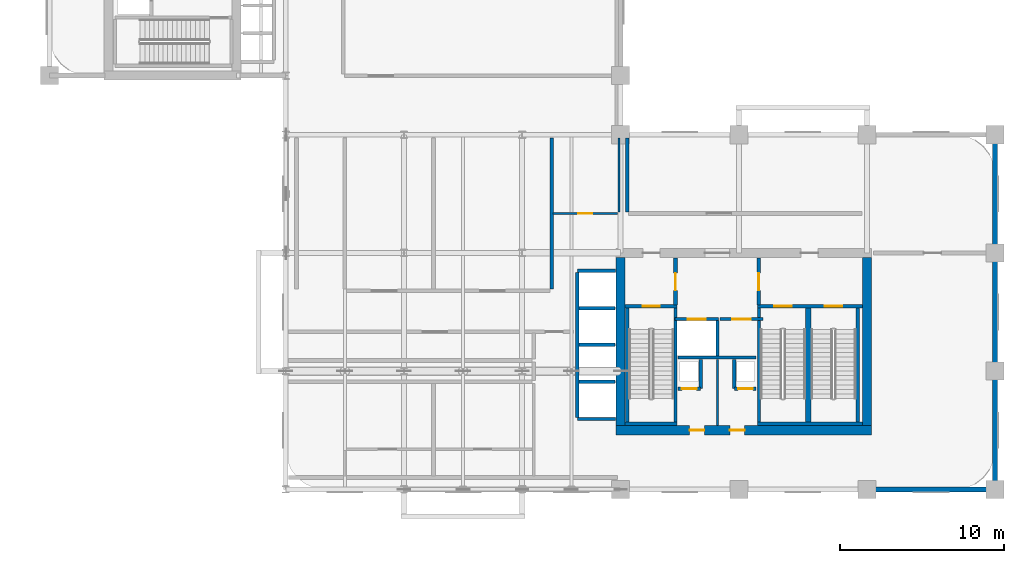
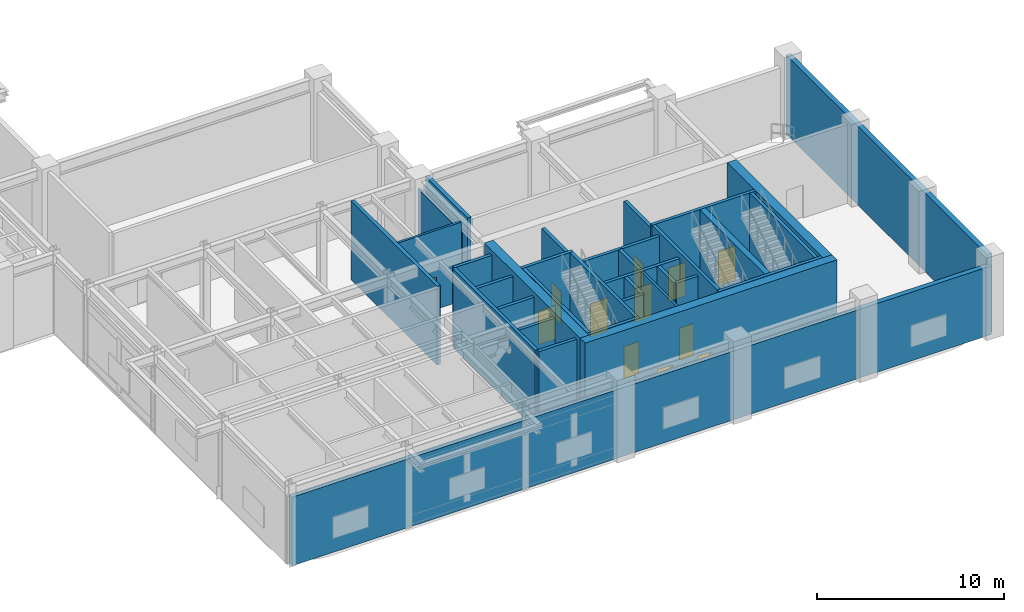
# One storey, part 7 of 12: 35 walls, 12 doors, 12 openings.
"""IFC4 building model written with IfcOpenShell, lengths in metres."""

from ifc_helpers import new_model, si_unit, derived_unit, direction, frame, frame_2d, origin, place, context, subcontext, project, spatial, rectangle, extrude, source, transform, mapped, material, layer, layer_set, type_object, type_shapes, element, fill, save


model = new_model("IFC4")

# Units and contexts
model_context = context("Model", 3, precision=1e-05, world=origin(), true_north=direction((0.0, 1.0)))
body_context = subcontext(model_context, "Body", "Model", "MODEL_VIEW")
ifc_project = project(units=[si_unit("LENGTHUNIT", "METRE"), si_unit("AREAUNIT", "SQUARE_METRE"), si_unit("VOLUMEUNIT", "CUBIC_METRE"), si_unit("PLANEANGLEUNIT", "RADIAN"), si_unit("MASSUNIT", "GRAM", prefix="KILO"), si_unit("THERMODYNAMICTEMPERATUREUNIT", "KELVIN"), si_unit("POWERUNIT", "WATT"), derived_unit("THERMALTRANSMITTANCEUNIT", [(si_unit("POWERUNIT", "WATT"), 1), (si_unit("AREAUNIT", "SQUARE_METRE"), -1), (si_unit("THERMODYNAMICTEMPERATUREUNIT", "KELVIN"), -1)])], contexts=[model_context])

# Site, building, storey
site_placement = place(None, origin())
site = spatial("IfcSite", under=ifc_project, at=site_placement, CompositionType="ELEMENT")
building_placement = place(site_placement, origin())
building = spatial("IfcBuilding", under=site, at=building_placement, Name="Zahravan Archway Hotel and Residences", CompositionType="ELEMENT")
storey_placement = place(building_placement, frame((0.0, 0.0, 106.39990234375)))
storey = spatial("IfcBuildingStorey", under=building, at=storey_placement, Name="L26", CompositionType="ELEMENT", Elevation=106.39990234375)

# Wall, openings, doors
ifc_material_1 = material(Name="Concrete C70/85", Category="concrete")
ifc_layer_1 = layer(ifc_material_1, 0.550048828125, Name="Concrete C70/85", Category="concrete")
ifc_layer_set_1 = layer_set([ifc_layer_1], Name="Concrete C70/85")
wall_type_1 = type_object("IfcWallType", Name="CW-CORE-550", PredefinedType="SHEAR", material=ifc_layer_set_1)
wall_1_placement = place(storey_placement, frame((34.52490234375, 3.60009765625, 0.0), z_axis=(0.0, 0.0, 1.0), x_axis=(1.0, 0.0, 0.0)))
wall_1 = element("IfcWall", 1, at=wall_1_placement, inside=storey, type_object=wall_type_1, Name="L26 Core A Shear S Wall 550 mm", PredefinedType="SHEAR", context=body_context, shape_type="SweptSolid", body=[
    extrude(rectangle(XDim=15.550048828125, YDim=0.550048828125, at=frame_2d((7.77490234375, 0.0))), origin(), (0.0, 0.0, 1.0), 5.400146484375),
])
opening_1_placement = place(wall_1_placement, frame((4.47509765625, 0.0, 0.0)))
opening_1 = element("IfcOpeningElement", 2, at=opening_1_placement, cuts=wall_1, Name="Opening FD-R1", PredefinedType="OPENING", context=body_context, shape_type="SweptSolid", body=[
    extrude(rectangle(XDim=0.89990234375, YDim=2.10009765625, at=frame_2d((0.449951171875, 1.050048828125))), frame((0.0, 0.28515625, 0.0), z_axis=(0.0, -1.0, 0.0), x_axis=(1.0, 0.0, 0.0)), (0.0, 0.0, 1.0), 0.570068359375),
])
opening_2_placement = place(wall_1_placement, frame((6.925048828125, 0.0, 0.0)))
opening_2 = element("IfcOpeningElement", 3, at=opening_2_placement, cuts=wall_1, Name="Opening FD-R1", PredefinedType="OPENING", context=body_context, shape_type="SweptSolid", body=[
    extrude(rectangle(XDim=0.89990234375, YDim=2.10009765625, at=frame_2d((0.449951171875, 1.050048828125))), frame((0.0, 0.28515625, 0.0), z_axis=(0.0, -1.0, 0.0), x_axis=(1.0, 0.0, 0.0)), (0.0, 0.0, 1.0), 0.570068359375),
])
ifc_material_2 = material(Name="Fire-Rated Painted Steel", Category="steel")
door_type_1 = type_object("IfcDoorType", Name="FD-RISER-900", OperationType="NOTDEFINED", PredefinedType="DOOR", material=ifc_material_2)
shared_shape_1 = source(origin(), body_context, "Body", "SweptSolid", [
    extrude(rectangle(XDim=0.89990234375, YDim=2.10009765625, at=frame_2d((0.449951171875, 1.050048828125))), frame((0.0, 0.02490234375, 0.0), z_axis=(0.0, -1.0, 0.0), x_axis=(1.0, 0.0, 0.0)), (0.0, 0.0, 1.0), 0.050048828125),
])
type_shapes(door_type_1, [shared_shape_1])
door_1_placement = place(opening_1_placement, origin())
door_1 = element("IfcDoor", 4, at=door_1_placement, inside=storey, type_object=door_type_1, Name="L26 Electrical Switchgear Door", OperationType="SINGLE_SWING_RIGHT", OverallHeight=2.10009765625, OverallWidth=0.89990234375, PredefinedType="DOOR", context=body_context, shape_type="MappedRepresentation", body=[
    mapped(shared_shape_1, transform((0.0, 0.0, 0.0), scale=1.0)),
])
fill(opening_1, door_1)
door_2_placement = place(opening_2_placement, origin())
door_2 = element("IfcDoor", 5, at=door_2_placement, inside=storey, type_object=door_type_1, Name="L26 Telecom BMS Door", OperationType="SINGLE_SWING_LEFT", OverallHeight=2.10009765625, OverallWidth=0.89990234375, PredefinedType="DOOR", context=body_context, shape_type="MappedRepresentation", body=[
    mapped(shared_shape_1, transform((0.0, 0.0, 0.0), scale=1.0)),
])
fill(opening_2, door_2)

# Walls
for number, where, z_axis, x_axis, name in (
    (6, (34.800048828125, 3.875, 0.0), (0.0, 0.0, 1.0), (0.0, 1.0, 0.0), "L26 Core A Shear W Wall 550 mm"),
    (7, (49.800048828125, 3.875, 0.0), (0.0, 0.0, 1.0), (0.0, 1.0, 0.0), "L26 Core A Shear E Wall 550 mm"),
):
    element("IfcWall", number, at=place(storey_placement, frame(where, z_axis=z_axis, x_axis=x_axis)), inside=storey, type_object=wall_type_1, Name=name, PredefinedType="SHEAR", context=body_context, shape_type="SweptSolid", body=[
        extrude(rectangle(XDim=10.25, YDim=0.550048828125, at=frame_2d((5.125, 0.0))), origin(), (0.0, 0.0, 1.0), 5.400146484375),
    ])
ifc_material_3 = material(Name="Acoustic Louvred Sandstone Backup Wall", Category="masonry")
ifc_layer_2 = layer(ifc_material_3, 0.300048828125, Name="Acoustic Louvred Sandstone Backup Wall", Category="masonry")
ifc_layer_set_2 = layer_set([ifc_layer_2], Name="Acoustic Louvred Sandstone Backup Wall")
wall_type_2 = type_object("IfcWallType", Name="EW-REF-300", PredefinedType="SOLIDWALL", material=ifc_layer_set_2)
wall_2_placement = place(storey_placement, frame((14.39990234375, 0.0, 0.0), z_axis=(0.0, 0.0, 1.0), x_axis=(1.0, 0.0, 0.0)))
element("IfcWall", 8, at=wall_2_placement, inside=storey, type_object=wall_type_2, Name="L26 Exterior Sandstone Wall WA-S", PredefinedType="SOLIDWALL", context=body_context, shape_type="SweptSolid", body=[
    extrude(rectangle(XDim=43.2001953125, YDim=0.300048828125, at=frame_2d((21.60009765625, 0.0))), origin(), (0.0, 0.0, 1.0), 4.485107421875),
])
wall_3_placement = place(storey_placement, frame((57.60009765625, 0.050048828125, 0.0), z_axis=(0.0, 0.0, 1.0), x_axis=(0.0, 1.0, 0.0)))
element("IfcWall", 9, at=wall_3_placement, inside=storey, type_object=wall_type_2, Name="L26 Exterior Sandstone Wall WA-E", PredefinedType="SOLIDWALL", context=body_context, shape_type="SweptSolid", body=[
    extrude(rectangle(XDim=21.5, YDim=0.300048828125, at=frame_2d((10.75, 0.0))), origin(), (0.0, 0.0, 1.0), 5.150146484375),
])

# Wall, opening, door
ifc_material_4 = material(Name="Fire-Rated Gypsum & Concrete Block", Category="concrete")
ifc_layer_3 = layer(ifc_material_4, 0.219970703125, Name="Fire-Rated Gypsum & Concrete Block", Category="concrete")
ifc_layer_set_3 = layer_set([ifc_layer_3], Name="Fire-Rated Gypsum & Concrete Block")
wall_type_3 = type_object("IfcWallType", Name="PW-COMP-220", PredefinedType="PARTITIONING", material=ifc_layer_set_3)
wall_4_placement = place(storey_placement, frame((38.139892578125, 11.219970703125, 0.0), z_axis=(0.0, 0.0, 1.0), x_axis=(0.0, 1.0, 0.0)))
wall_4 = element("IfcWall", 10, at=wall_4_placement, inside=storey, type_object=wall_type_3, Name="L26 Partition CA-LOBW", PredefinedType="PARTITIONING", context=body_context, shape_type="SweptSolid", body=[
    extrude(rectangle(XDim=2.860107421875, YDim=0.219970703125, at=frame_2d((1.43017578125, 0.0))), origin(), (0.0, 0.0, 1.0), 5.150146484375),
])
opening_3_placement = place(wall_4_placement, frame((0.905029296875, 0.0, 0.0)))
opening_3 = element("IfcOpeningElement", 11, at=opening_3_placement, cuts=wall_4, Name="Opening FD-L2", PredefinedType="OPENING", context=body_context, shape_type="SweptSolid", body=[
    extrude(rectangle(XDim=1.050048828125, YDim=2.14990234375, at=frame_2d((0.52490234375, 1.074951171875))), frame((0.0, 0.1201171875, 0.0), z_axis=(0.0, -1.0, 0.0), x_axis=(1.0, 0.0, 0.0)), (0.0, 0.0, 1.0), 0.239990234375),
])
door_type_2 = type_object("IfcDoorType", Name="FD-LOBBY-1100", OperationType="NOTDEFINED", PredefinedType="DOOR", material=ifc_material_2)
shared_shape_2 = source(origin(), body_context, "Body", "SweptSolid", [
    extrude(rectangle(XDim=1.050048828125, YDim=2.14990234375, at=frame_2d((0.52490234375, 1.074951171875))), frame((0.0, 0.02490234375, 0.0), z_axis=(0.0, -1.0, 0.0), x_axis=(1.0, 0.0, 0.0)), (0.0, 0.0, 1.0), 0.050048828125),
])
type_shapes(door_type_2, [shared_shape_2])
door_3_placement = place(opening_3_placement, origin())
door_3 = element("IfcDoor", 12, at=door_3_placement, inside=storey, type_object=door_type_2, Name="L26 Core A West Stair to FSAE Lobby Door", OperationType="SINGLE_SWING_RIGHT", OverallHeight=2.14990234375, OverallWidth=1.050048828125, PredefinedType="DOOR", context=body_context, shape_type="MappedRepresentation", body=[
    mapped(shared_shape_2, transform((0.0, 0.0, 0.0), scale=1.0)),
])
fill(opening_3, door_3)

wall_5_placement = place(storey_placement, frame((43.219970703125, 11.219970703125, 0.0), z_axis=(0.0, 0.0, 1.0), x_axis=(0.0, 1.0, 0.0)))
wall_5 = element("IfcWall", 13, at=wall_5_placement, inside=storey, type_object=wall_type_3, Name="L26 Partition CA-LOBE", PredefinedType="PARTITIONING", context=body_context, shape_type="SweptSolid", body=[
    extrude(rectangle(XDim=2.860107421875, YDim=0.219970703125, at=frame_2d((1.43017578125, 0.0))), origin(), (0.0, 0.0, 1.0), 5.150146484375),
])
opening_4_placement = place(wall_5_placement, frame((0.905029296875, 0.0, 0.0)))
opening_4 = element("IfcOpeningElement", 14, at=opening_4_placement, cuts=wall_5, Name="Opening FD-L2", PredefinedType="OPENING", context=body_context, shape_type="SweptSolid", body=[
    extrude(rectangle(XDim=1.050048828125, YDim=2.14990234375, at=frame_2d((0.52490234375, 1.074951171875))), frame((0.0, 0.1201171875, 0.0), z_axis=(0.0, -1.0, 0.0), x_axis=(1.0, 0.0, 0.0)), (0.0, 0.0, 1.0), 0.239990234375),
])
door_4_placement = place(opening_4_placement, origin())
door_4 = element("IfcDoor", 15, at=door_4_placement, inside=storey, type_object=door_type_2, Name="L26 Core A East Stair to FSAE Lobby Door", OperationType="SINGLE_SWING_LEFT", OverallHeight=2.14990234375, OverallWidth=1.050048828125, PredefinedType="DOOR", context=body_context, shape_type="MappedRepresentation", body=[
    mapped(shared_shape_2, transform((0.0, 0.0, 0.0), scale=1.0)),
])
fill(opening_4, door_4)

# Walls
wall_6_placement = place(storey_placement, frame((30.60009765625, 12.18994140625, 0.0), z_axis=(0.0, 0.0, 1.0), x_axis=(0.0, 1.0, 0.0)))
element("IfcWall", 16, at=wall_6_placement, inside=storey, type_object=wall_type_3, Name="L26 Partition L26-RWE", PredefinedType="PARTITIONING", context=body_context, shape_type="SweptSolid", body=[
    extrude(rectangle(XDim=9.219970703125, YDim=0.219970703125, at=frame_2d((4.60986328125, 0.0))), origin(), (0.0, 0.0, 1.0), 5.150146484375),
])
wall_7_placement = place(storey_placement, frame((35.199951171875, 16.889892578125, 0.0), z_axis=(0.0, 0.0, 1.0), x_axis=(0.0, 1.0, 0.0)))
element("IfcWall", 17, at=wall_7_placement, inside=storey, type_object=wall_type_3, Name="L26 Partition L26-RNEW", PredefinedType="PARTITIONING", context=body_context, shape_type="SweptSolid", body=[
    extrude(rectangle(XDim=4.52001953125, YDim=0.219970703125, at=frame_2d((2.260009765625, 0.0))), origin(), (0.0, 0.0, 1.0), 5.150146484375),
])
ifc_layer_4 = layer(ifc_material_4, 0.199951171875, Name="Fire-Rated Gypsum & Concrete Block", Category="concrete")
ifc_layer_set_4 = layer_set([ifc_layer_4], Name="Fire-Rated Gypsum & Concrete Block")
wall_type_4 = type_object("IfcWallType", Name="PW-SHAFT-200", PredefinedType="PARTITIONING", material=ifc_layer_set_4)
wall_8_placement = place(storey_placement, frame((38.300048828125, 8.030029296875, 0.0), z_axis=(0.0, 0.0, 1.0), x_axis=(1.0, 0.0, 0.0)))
element("IfcWall", 18, at=wall_8_placement, inside=storey, type_object=wall_type_4, Name="L26 Partition CA-FLS", PredefinedType="PARTITIONING", context=body_context, shape_type="SweptSolid", body=[
    extrude(rectangle(XDim=4.739990234375, YDim=0.199951171875, at=frame_2d((2.3701171875, 0.0))), origin(), (0.0, 0.0, 1.0), 5.150146484375),
])
wall_9_placement = place(storey_placement, frame((40.699951171875, 8.1201171875, 0.0), z_axis=(0.0, 0.0, 1.0), x_axis=(0.0, 1.0, 0.0)))
element("IfcWall", 19, at=wall_9_placement, inside=storey, type_object=wall_type_4, Name="L26 Partition CA-FLM", PredefinedType="PARTITIONING", context=body_context, shape_type="SweptSolid", body=[
    extrude(rectangle(XDim=2.179931640625, YDim=0.199951171875, at=frame_2d((1.08984375, 0.0))), origin(), (0.0, 0.0, 1.0), 5.150146484375),
])

# Wall, opening, door
wall_10_placement = place(storey_placement, frame((38.2900390625, 6.1201171875, 0.0), z_axis=(0.0, 0.0, 1.0), x_axis=(1.0, 0.0, 0.0)))
wall_10 = element("IfcWall", 20, at=wall_10_placement, inside=storey, type_object=wall_type_4, Name="L26 Partition CA-SMKS", PredefinedType="PARTITIONING", context=body_context, shape_type="SweptSolid", body=[
    extrude(rectangle(XDim=1.3798828125, YDim=0.199951171875, at=frame_2d((0.68994140625, 0.0))), origin(), (0.0, 0.0, 1.0), 5.150146484375),
])
opening_5_placement = place(wall_10_placement, frame((0.239990234375, 0.0, 0.0)))
opening_5 = element("IfcOpeningElement", 21, at=opening_5_placement, cuts=wall_10, Name="Opening FD-R1", PredefinedType="OPENING", context=body_context, shape_type="SweptSolid", body=[
    extrude(rectangle(XDim=0.89990234375, YDim=2.10009765625, at=frame_2d((0.449951171875, 1.050048828125))), frame((0.0, 0.10986328125, 0.0), z_axis=(0.0, -1.0, 0.0), x_axis=(1.0, 0.0, 0.0)), (0.0, 0.0, 1.0), 0.219970703125),
])
door_5_placement = place(opening_5_placement, origin())
door_5 = element("IfcDoor", 22, at=door_5_placement, inside=storey, type_object=door_type_1, Name="L26 Smoke Riser Access Door", OperationType="SINGLE_SWING_RIGHT", OverallHeight=2.10009765625, OverallWidth=0.89990234375, PredefinedType="DOOR", context=body_context, shape_type="MappedRepresentation", body=[
    mapped(shared_shape_1, transform((0.0, 0.0, 0.0), scale=1.0)),
])
fill(opening_5, door_5)

# Wall
wall_11_placement = place(storey_placement, frame((39.679931640625, 6.1298828125, 0.0), z_axis=(0.0, 0.0, 1.0), x_axis=(0.0, 1.0, 0.0)))
element("IfcWall", 23, at=wall_11_placement, inside=storey, type_object=wall_type_4, Name="L26 Partition CA-SMKE", PredefinedType="PARTITIONING", context=body_context, shape_type="SweptSolid", body=[
    extrude(rectangle(XDim=1.7900390625, YDim=0.199951171875, at=frame_2d((0.89501953125, 0.0))), origin(), (0.0, 0.0, 1.0), 5.150146484375),
])

# Wall, opening, door
wall_12_placement = place(storey_placement, frame((41.72998046875, 6.1201171875, 0.0), z_axis=(0.0, 0.0, 1.0), x_axis=(1.0, 0.0, 0.0)))
wall_12 = element("IfcWall", 24, at=wall_12_placement, inside=storey, type_object=wall_type_4, Name="L26 Partition CA-MEPS", PredefinedType="PARTITIONING", context=body_context, shape_type="SweptSolid", body=[
    extrude(rectangle(XDim=1.320068359375, YDim=0.199951171875, at=frame_2d((0.66015625, 0.0))), origin(), (0.0, 0.0, 1.0), 5.150146484375),
])
opening_6_placement = place(wall_12_placement, frame((0.219970703125, 0.0, 0.0)))
opening_6 = element("IfcOpeningElement", 25, at=opening_6_placement, cuts=wall_12, Name="Opening FD-R1", PredefinedType="OPENING", context=body_context, shape_type="SweptSolid", body=[
    extrude(rectangle(XDim=0.89990234375, YDim=2.10009765625, at=frame_2d((0.449951171875, 1.050048828125))), frame((0.0, 0.10986328125, 0.0), z_axis=(0.0, -1.0, 0.0), x_axis=(1.0, 0.0, 0.0)), (0.0, 0.0, 1.0), 0.219970703125),
])
door_6_placement = place(opening_6_placement, origin())
door_6 = element("IfcDoor", 26, at=door_6_placement, inside=storey, type_object=door_type_1, Name="L26 MEP Riser Access Door", OperationType="SINGLE_SWING_LEFT", OverallHeight=2.10009765625, OverallWidth=0.89990234375, PredefinedType="DOOR", context=body_context, shape_type="MappedRepresentation", body=[
    mapped(shared_shape_1, transform((0.0, 0.0, 0.0), scale=1.0)),
])
fill(opening_6, door_6)

# Walls
wall_13_placement = place(storey_placement, frame((41.719970703125, 6.1298828125, 0.0), z_axis=(0.0, 0.0, 1.0), x_axis=(0.0, 1.0, 0.0)))
element("IfcWall", 27, at=wall_13_placement, inside=storey, type_object=wall_type_4, Name="L26 Partition CA-MEPW", PredefinedType="PARTITIONING", context=body_context, shape_type="SweptSolid", body=[
    extrude(rectangle(XDim=1.7900390625, YDim=0.199951171875, at=frame_2d((0.89501953125, 0.0))), origin(), (0.0, 0.0, 1.0), 5.150146484375),
])
for number, where, z_axis, x_axis, name in (
    (28, (32.159912109375, 4.280029296875, 0.0), (0.0, 0.0, 1.0), (1.0, 0.0, 0.0), "L26 Partition B3-S"),
    (29, (32.159912109375, 13.320068359375, 0.0), (0.0, 0.0, 1.0), (1.0, 0.0, 0.0), "L26 Partition B3-N"),
):
    element("IfcWall", number, at=place(storey_placement, frame(where, z_axis=z_axis, x_axis=x_axis)), inside=storey, type_object=wall_type_4, Name=name, PredefinedType="PARTITIONING", context=body_context, shape_type="SweptSolid", body=[
        extrude(rectangle(XDim=2.335205078125, YDim=0.199951171875, at=frame_2d((1.16748046875, 0.0))), origin(), (0.0, 0.0, 1.0), 5.150146484375),
    ])
wall_14_placement = place(storey_placement, frame((32.14990234375, 4.389892578125, 0.0), z_axis=(0.0, 0.0, 1.0), x_axis=(0.0, 1.0, 0.0)))
element("IfcWall", 30, at=wall_14_placement, inside=storey, type_object=wall_type_4, Name="L26 Partition B3-W", PredefinedType="PARTITIONING", context=body_context, shape_type="SweptSolid", body=[
    extrude(rectangle(XDim=8.820068359375, YDim=0.199951171875, at=frame_2d((4.41015625, 0.0))), origin(), (0.0, 0.0, 1.0), 5.150146484375),
])
for number, where, z_axis, x_axis, name in (
    (31, (32.260009765625, 6.56005859375, 0.0), (0.0, 0.0, 1.0), (1.0, 0.0, 0.0), "L26 Partition B3-D"),
    (32, (32.260009765625, 8.800048828125, 0.0), (0.0, 0.0, 1.0), (1.0, 0.0, 0.0), "L26 Partition B3-D"),
    (33, (32.260009765625, 11.0400390625, 0.0), (0.0, 0.0, 1.0), (1.0, 0.0, 0.0), "L26 Partition B3-D"),
):
    element("IfcWall", number, at=place(storey_placement, frame(where, z_axis=z_axis, x_axis=x_axis)), inside=storey, type_object=wall_type_4, Name=name, PredefinedType="PARTITIONING", context=body_context, shape_type="SweptSolid", body=[
        extrude(rectangle(XDim=2.205078125, YDim=0.199951171875, at=frame_2d((1.1025390625, 0.0))), origin(), (0.0, 0.0, 1.0), 5.150146484375),
    ])

# Wall, opening, door
wall_15_placement = place(storey_placement, frame((38.1201171875, 10.3701171875, 0.0), z_axis=(0.0, 0.0, 1.0), x_axis=(1.0, 0.0, 0.0)))
wall_15 = element("IfcWall", 34, at=wall_15_placement, inside=storey, type_object=wall_type_4, Name="L26 Lift FL-1 Front Wall", PredefinedType="PARTITIONING", context=body_context, shape_type="SweptSolid", body=[
    extrude(rectangle(XDim=2.639892578125, YDim=0.199951171875, at=frame_2d((1.31982421875, 0.0))), origin(), (0.0, 0.0, 1.0), 5.150146484375),
])
opening_7_placement = place(wall_15_placement, frame((0.77001953125, 0.0, 0.0)))
opening_7 = element("IfcOpeningElement", 35, at=opening_7_placement, cuts=wall_15, Name="Opening LD", PredefinedType="OPENING", context=body_context, shape_type="SweptSolid", body=[
    extrude(rectangle(XDim=1.10009765625, YDim=2.199951171875, at=frame_2d((0.550048828125, 1.10009765625))), frame((0.0, 0.10986328125, 0.0), z_axis=(0.0, -1.0, 0.0), x_axis=(1.0, 0.0, 0.0)), (0.0, 0.0, 1.0), 0.219970703125),
])
ifc_material_5 = material(Name="Brushed Stainless Steel", Category="steel")
door_type_3 = type_object("IfcDoorType", Name="DR-LIFT-LD", OperationType="SLIDING_TO_LEFT", PredefinedType="DOOR", material=ifc_material_5)
shared_shape_3 = source(origin(), body_context, "Body", "SweptSolid", [
    extrude(rectangle(XDim=1.10009765625, YDim=2.199951171875, at=frame_2d((0.550048828125, 1.10009765625))), frame((0.0, 0.02490234375, 0.0), z_axis=(0.0, -1.0, 0.0), x_axis=(1.0, 0.0, 0.0)), (0.0, 0.0, 1.0), 0.050048828125),
])
type_shapes(door_type_3, [shared_shape_3])
door_7_placement = place(opening_7_placement, origin())
door_7 = element("IfcDoor", 36, at=door_7_placement, inside=storey, type_object=door_type_3, Name="L26 Lift FL-1 Sliding Landing Door", OperationType="SLIDING_TO_LEFT", OverallHeight=2.199951171875, OverallWidth=1.10009765625, PredefinedType="DOOR", context=body_context, shape_type="MappedRepresentation", body=[
    mapped(shared_shape_3, transform((0.0, 0.0, 0.0), scale=1.0)),
])
fill(opening_7, door_7)

wall_16_placement = place(storey_placement, frame((40.840087890625, 10.3701171875, 0.0), z_axis=(0.0, 0.0, 1.0), x_axis=(1.0, 0.0, 0.0)))
wall_16 = element("IfcWall", 37, at=wall_16_placement, inside=storey, type_object=wall_type_4, Name="L26 Lift FL-2 Front Wall", PredefinedType="PARTITIONING", context=body_context, shape_type="SweptSolid", body=[
    extrude(rectangle(XDim=2.639892578125, YDim=0.199951171875, at=frame_2d((1.31982421875, 0.0))), origin(), (0.0, 0.0, 1.0), 5.150146484375),
])
opening_8_placement = place(wall_16_placement, frame((0.77001953125, 0.0, 0.0)))
opening_8 = element("IfcOpeningElement", 38, at=opening_8_placement, cuts=wall_16, Name="Opening LD", PredefinedType="OPENING", context=body_context, shape_type="SweptSolid", body=[
    extrude(rectangle(XDim=1.10009765625, YDim=2.199951171875, at=frame_2d((0.550048828125, 1.10009765625))), frame((0.0, 0.10986328125, 0.0), z_axis=(0.0, -1.0, 0.0), x_axis=(1.0, 0.0, 0.0)), (0.0, 0.0, 1.0), 0.219970703125),
])
door_8_placement = place(opening_8_placement, origin())
door_8 = element("IfcDoor", 39, at=door_8_placement, inside=storey, type_object=door_type_3, Name="L26 Lift FL-2 Sliding Landing Door", OperationType="SLIDING_TO_LEFT", OverallHeight=2.199951171875, OverallWidth=1.10009765625, PredefinedType="DOOR", context=body_context, shape_type="MappedRepresentation", body=[
    mapped(shared_shape_3, transform((0.0, 0.0, 0.0), scale=1.0)),
])
fill(opening_8, door_8)

# Wall
ifc_material_6 = material(Name="Moisture-Resistant Blockwork", Category="masonry")
ifc_layer_5 = layer(ifc_material_6, 0.139892578125, Name="Moisture-Resistant Blockwork", Category="masonry")
ifc_layer_set_5 = layer_set([ifc_layer_5], Name="Moisture-Resistant Blockwork")
wall_type_5 = type_object("IfcWallType", Name="PW-WET-140", PredefinedType="PARTITIONING", material=ifc_layer_set_5)
wall_17_placement = place(storey_placement, frame((40.699951171875, 3.89501953125, 0.0), z_axis=(0.0, 0.0, 1.0), x_axis=(0.0, 1.0, 0.0)))
element("IfcWall", 40, at=wall_17_placement, inside=storey, type_object=wall_type_5, Name="L26 Partition CA-CV0", PredefinedType="PARTITIONING", context=body_context, shape_type="SweptSolid", body=[
    extrude(rectangle(XDim=4.014892578125, YDim=0.139892578125, at=frame_2d((2.00732421875, 0.0))), origin(), (0.0, 0.0, 1.0), 5.150146484375),
])

# Wall, opening, door
wall_18_placement = place(storey_placement, frame((30.68994140625, 16.800048828125, 0.0), z_axis=(0.0, 0.0, 1.0), x_axis=(1.0, 0.0, 0.0)))
wall_18 = element("IfcWall", 41, at=wall_18_placement, inside=storey, type_object=wall_type_5, Name="L26 Partition L26-RWCS", PredefinedType="PARTITIONING", context=body_context, shape_type="SweptSolid", body=[
    extrude(rectangle(XDim=3.920166015625, YDim=0.139892578125, at=frame_2d((1.9599609375, 0.0))), origin(), (0.0, 0.0, 1.0), 5.150146484375),
])
opening_9_placement = place(wall_18_placement, frame((1.534912109375, 0.0, 0.0)))
opening_9 = element("IfcOpeningElement", 42, at=opening_9_placement, cuts=wall_18, Name="Opening D-B1", PredefinedType="OPENING", context=body_context, shape_type="SweptSolid", body=[
    extrude(rectangle(XDim=0.85009765625, YDim=2.10009765625, at=frame_2d((0.425048828125, 1.050048828125))), frame((0.0, 0.080078125, 0.0), z_axis=(0.0, -1.0, 0.0), x_axis=(1.0, 0.0, 0.0)), (0.0, 0.0, 1.0), 0.159912109375),
])
ifc_material_7 = material(Name="Hardwood Veneer Timber", Category="wood")
door_type_4 = type_object("IfcDoorType", Name="ID-BATH-850", OperationType="NOTDEFINED", PredefinedType="DOOR", material=ifc_material_7)
shared_shape_4 = source(origin(), body_context, "Body", "SweptSolid", [
    extrude(rectangle(XDim=0.85009765625, YDim=2.10009765625, at=frame_2d((0.425048828125, 1.050048828125))), frame((0.0, 0.02490234375, 0.0), z_axis=(0.0, -1.0, 0.0), x_axis=(1.0, 0.0, 0.0)), (0.0, 0.0, 1.0), 0.050048828125),
])
type_shapes(door_type_4, [shared_shape_4])
door_9_placement = place(opening_9_placement, origin())
door_9 = element("IfcDoor", 43, at=door_9_placement, inside=storey, type_object=door_type_4, Name="L26 Refuge Accessible WC Door", OperationType="SINGLE_SWING_RIGHT", OverallHeight=2.10009765625, OverallWidth=0.85009765625, PredefinedType="DOOR", context=body_context, shape_type="MappedRepresentation", body=[
    mapped(shared_shape_4, transform((0.0, 0.0, 0.0), scale=1.0)),
])
fill(opening_9, door_9)

# Walls
wall_19_placement = place(storey_placement, frame((34.699951171875, 16.889892578125, 0.0), z_axis=(0.0, 0.0, 1.0), x_axis=(0.0, 1.0, 0.0)))
element("IfcWall", 44, at=wall_19_placement, inside=storey, type_object=wall_type_5, Name="L26 Partition L26-RWCE", PredefinedType="PARTITIONING", context=body_context, shape_type="SweptSolid", body=[
    extrude(rectangle(XDim=4.52001953125, YDim=0.139892578125, at=frame_2d((2.260009765625, 0.0))), origin(), (0.0, 0.0, 1.0), 4.485107421875),
])
ifc_material_8 = material(Name="Concrete C50/60", Category="concrete")
ifc_layer_6 = layer(ifc_material_8, 0.199951171875, Name="Concrete C50/60", Category="concrete")
ifc_layer_set_6 = layer_set([ifc_layer_6], Name="Concrete C50/60")
wall_type_6 = type_object("IfcWallType", Name="SW-STAIR-200", PredefinedType="SHEAR", material=ifc_layer_set_6)
wall_20_placement = place(storey_placement, frame((35.074951171875, 4.0, 0.0), z_axis=(0.0, 0.0, 1.0), x_axis=(1.0, 0.0, 0.0)))
element("IfcWall", 45, at=wall_20_placement, inside=storey, type_object=wall_type_6, Name="L26 Stairwell RC Wall CA-SA1S", PredefinedType="SHEAR", context=body_context, shape_type="SweptSolid", body=[
    extrude(rectangle(XDim=3.1650390625, YDim=0.199951171875, at=frame_2d((1.58251953125, 0.0))), origin(), (0.0, 0.0, 1.0), 5.400146484375),
])
for number, where, z_axis, x_axis, name in (
    (46, (35.199951171875, 4.10009765625, 0.0), (0.0, 0.0, 1.0), (0.0, 1.0, 0.0), "L26 Stairwell RC Wall CA-SA1W"),
    (47, (38.139892578125, 4.10009765625, 0.0), (0.0, 0.0, 1.0), (0.0, 1.0, 0.0), "L26 Stairwell RC Wall CA-SA1E"),
):
    element("IfcWall", number, at=place(storey_placement, frame(where, z_axis=z_axis, x_axis=x_axis)), inside=storey, type_object=wall_type_6, Name=name, PredefinedType="SHEAR", context=body_context, shape_type="SweptSolid", body=[
        extrude(rectangle(XDim=6.949951171875, YDim=0.199951171875, at=frame_2d((3.47509765625, 0.0))), origin(), (0.0, 0.0, 1.0), 5.400146484375),
    ])

# Wall, opening, door
wall_21_placement = place(storey_placement, frame((35.074951171875, 11.14990234375, 0.0), z_axis=(0.0, 0.0, 1.0), x_axis=(1.0, 0.0, 0.0)))
wall_21 = element("IfcWall", 48, at=wall_21_placement, inside=storey, type_object=wall_type_6, Name="L26 Stairwell RC Wall CA-SA1N", PredefinedType="SHEAR", context=body_context, shape_type="SweptSolid", body=[
    extrude(rectangle(XDim=3.1650390625, YDim=0.199951171875, at=frame_2d((1.58251953125, 0.0))), origin(), (0.0, 0.0, 1.0), 5.400146484375),
])
opening_10_placement = place(wall_21_placement, frame((1.070068359375, 0.0, 0.0)))
opening_10 = element("IfcOpeningElement", 49, at=opening_10_placement, cuts=wall_21, Name="Opening FD-S1", PredefinedType="OPENING", context=body_context, shape_type="SweptSolid", body=[
    extrude(rectangle(XDim=1.050048828125, YDim=2.199951171875, at=frame_2d((0.52490234375, 1.10009765625))), frame((0.0, 0.10986328125, 0.0), z_axis=(0.0, -1.0, 0.0), x_axis=(1.0, 0.0, 0.0)), (0.0, 0.0, 1.0), 0.219970703125),
])
door_type_5 = type_object("IfcDoorType", Name="FD-STAIR-1100", OperationType="NOTDEFINED", PredefinedType="DOOR", material=ifc_material_2)
shared_shape_5 = source(origin(), body_context, "Body", "SweptSolid", [
    extrude(rectangle(XDim=1.050048828125, YDim=2.199951171875, at=frame_2d((0.52490234375, 1.10009765625))), frame((0.0, 0.02490234375, 0.0), z_axis=(0.0, -1.0, 0.0), x_axis=(1.0, 0.0, 0.0)), (0.0, 0.0, 1.0), 0.050048828125),
])
type_shapes(door_type_5, [shared_shape_5])
door_10_placement = place(opening_10_placement, origin())
door_10 = element("IfcDoor", 50, at=door_10_placement, inside=storey, type_object=door_type_5, Name="L26 Stair ST-A1 Door", OperationType="SINGLE_SWING_LEFT", OverallHeight=2.199951171875, OverallWidth=1.050048828125, PredefinedType="DOOR", context=body_context, shape_type="MappedRepresentation", body=[
    mapped(shared_shape_5, transform((0.0, 0.0, 0.0), scale=1.0)),
])
fill(opening_10, door_10)

# Walls
wall_22_placement = place(storey_placement, frame((43.1201171875, 4.0, 0.0), z_axis=(0.0, 0.0, 1.0), x_axis=(1.0, 0.0, 0.0)))
element("IfcWall", 51, at=wall_22_placement, inside=storey, type_object=wall_type_6, Name="L26 Stairwell RC Wall CA-SA23S", PredefinedType="SHEAR", context=body_context, shape_type="SweptSolid", body=[
    extrude(rectangle(XDim=6.40478515625, YDim=0.199951171875, at=frame_2d((3.202392578125, 0.0))), origin(), (0.0, 0.0, 1.0), 5.400146484375),
])
for number, where, z_axis, x_axis, name in (
    (52, (43.219970703125, 4.10009765625, 0.0), (0.0, 0.0, 1.0), (0.0, 1.0, 0.0), "L26 Stairwell RC Wall CA-SA2W"),
    (53, (49.239990234375, 4.10009765625, 0.0), (0.0, 0.0, 1.0), (0.0, 1.0, 0.0), "L26 Stairwell RC Wall CA-SA3E"),
):
    element("IfcWall", number, at=place(storey_placement, frame(where, z_axis=z_axis, x_axis=x_axis)), inside=storey, type_object=wall_type_6, Name=name, PredefinedType="SHEAR", context=body_context, shape_type="SweptSolid", body=[
        extrude(rectangle(XDim=6.949951171875, YDim=0.199951171875, at=frame_2d((3.47509765625, 0.0))), origin(), (0.0, 0.0, 1.0), 5.400146484375),
    ])

# Wall, openings, doors
wall_23_placement = place(storey_placement, frame((43.1201171875, 11.14990234375, 0.0), z_axis=(0.0, 0.0, 1.0), x_axis=(1.0, 0.0, 0.0)))
wall_23 = element("IfcWall", 54, at=wall_23_placement, inside=storey, type_object=wall_type_6, Name="L26 Stairwell RC Wall CA-SA23N", PredefinedType="SHEAR", context=body_context, shape_type="SweptSolid", body=[
    extrude(rectangle(XDim=6.40478515625, YDim=0.199951171875, at=frame_2d((3.202392578125, 0.0))), origin(), (0.0, 0.0, 1.0), 5.400146484375),
])
opening_11_placement = place(wall_23_placement, frame((1.044921875, 0.0, 0.0)))
opening_11 = element("IfcOpeningElement", 55, at=opening_11_placement, cuts=wall_23, Name="Opening FD-S1", PredefinedType="OPENING", context=body_context, shape_type="SweptSolid", body=[
    extrude(rectangle(XDim=1.050048828125, YDim=2.199951171875, at=frame_2d((0.52490234375, 1.10009765625))), frame((0.0, 0.10986328125, 0.0), z_axis=(0.0, -1.0, 0.0), x_axis=(1.0, 0.0, 0.0)), (0.0, 0.0, 1.0), 0.219970703125),
])
opening_12_placement = place(wall_23_placement, frame((4.125, 0.0, 0.0)))
opening_12 = element("IfcOpeningElement", 56, at=opening_12_placement, cuts=wall_23, Name="Opening FD-S1", PredefinedType="OPENING", context=body_context, shape_type="SweptSolid", body=[
    extrude(rectangle(XDim=1.050048828125, YDim=2.199951171875, at=frame_2d((0.52490234375, 1.10009765625))), frame((0.0, 0.10986328125, 0.0), z_axis=(0.0, -1.0, 0.0), x_axis=(1.0, 0.0, 0.0)), (0.0, 0.0, 1.0), 0.219970703125),
])
door_11_placement = place(opening_11_placement, origin())
door_11 = element("IfcDoor", 57, at=door_11_placement, inside=storey, type_object=door_type_5, Name="L26 Stair ST-A2 Door", OperationType="SINGLE_SWING_RIGHT", OverallHeight=2.199951171875, OverallWidth=1.050048828125, PredefinedType="DOOR", context=body_context, shape_type="MappedRepresentation", body=[
    mapped(shared_shape_5, transform((0.0, 0.0, 0.0), scale=1.0)),
])
fill(opening_11, door_11)
door_12_placement = place(opening_12_placement, origin())
door_12 = element("IfcDoor", 58, at=door_12_placement, inside=storey, type_object=door_type_5, Name="L26 Stair ST-A3 Door", OperationType="SINGLE_SWING_LEFT", OverallHeight=2.199951171875, OverallWidth=1.050048828125, PredefinedType="DOOR", context=body_context, shape_type="MappedRepresentation", body=[
    mapped(shared_shape_5, transform((0.0, 0.0, 0.0), scale=1.0)),
])
fill(opening_12, door_12)

# Wall
ifc_layer_7 = layer(ifc_material_8, 0.340087890625, Name="Concrete C50/60", Category="concrete")
ifc_layer_set_7 = layer_set([ifc_layer_7], Name="Concrete C50/60")
wall_type_7 = type_object("IfcWallType", Name="SW-STAIR-340", PredefinedType="SHEAR", material=ifc_layer_set_7)
wall_24_placement = place(storey_placement, frame((46.22998046875, 4.10009765625, 0.0), z_axis=(0.0, 0.0, 1.0), x_axis=(0.0, 1.0, 0.0)))
element("IfcWall", 59, at=wall_24_placement, inside=storey, type_object=wall_type_7, Name="L26 Stairwell RC Wall CA-SA23M", PredefinedType="SHEAR", context=body_context, shape_type="SweptSolid", body=[
    extrude(rectangle(XDim=6.949951171875, YDim=0.340087890625, at=frame_2d((3.47509765625, 0.0))), origin(), (0.0, 0.0, 1.0), 5.400146484375),
])

save(model, "model.ifc")
